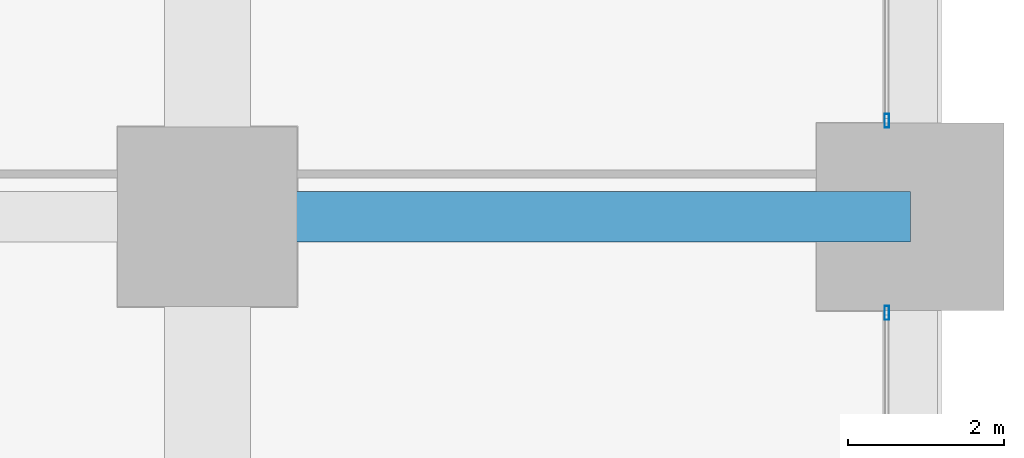
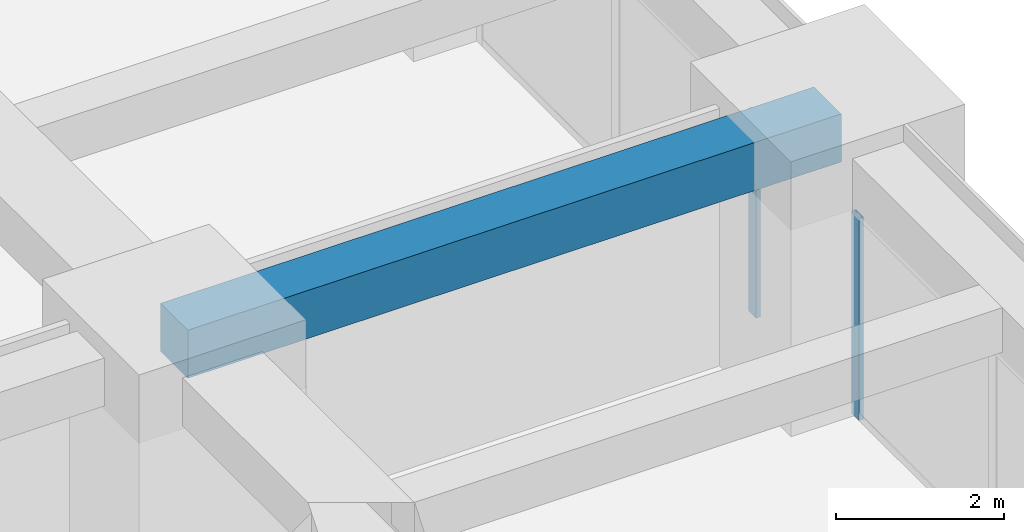
# One storey, part 32 of 44: 2 members, 1 beam, 2 elements without a shape of their own.
"""IFC4 building model written with IfcOpenShell, lengths in metres."""

from ifc_helpers import new_model, si_unit, direction, frame, origin, origin_2d, place, context, subcontext, project, spatial, rectangle, hollow_rectangle, extrude, material, material_profile, profile_set, type_object, element, aggregate, save


model = new_model("IFC4")

# Units and contexts
model_context = context("Model", 3, precision=1e-05, world=origin(), true_north=direction((0.0, 1.0)))
body_context = subcontext(model_context, "Body", "Model", "MODEL_VIEW")
ifc_project = project(units=[si_unit("LENGTHUNIT", "METRE"), si_unit("AREAUNIT", "SQUARE_METRE"), si_unit("VOLUMEUNIT", "CUBIC_METRE"), si_unit("PLANEANGLEUNIT", "RADIAN"), si_unit("MASSUNIT", "GRAM", prefix="KILO")], contexts=[model_context])

# Site, building, storey
site_placement = place(None, origin())
site = spatial("IfcSite", under=ifc_project, at=site_placement, CompositionType="ELEMENT")
building_placement = place(site_placement, origin())
building = spatial("IfcBuilding", under=site, at=building_placement, Name="Zorevar Civic Tower", CompositionType="ELEMENT")
storey_placement = place(building_placement, frame((0.0, 0.0, 31.800048828125)))
storey = spatial("IfcBuildingStorey", under=building, at=storey_placement, Name="L07", CompositionType="ELEMENT", Elevation=31.800048828125)

# Beam
ifc_material_1 = material(Name="Concrete C50/60", Category="concrete")
ifc_material_profile_1 = material_profile(ifc_material_1, rectangle(XDim=0.64990234375, YDim=0.699951171875, at=origin_2d()), Name="RC 650x700")
ifc_profile_set_1 = profile_set([ifc_material_profile_1], Name="Concrete C50/60")
beam_type = type_object("IfcBeamType", Name="Beam RC 650x700", PredefinedType="BEAM", material=ifc_profile_set_1)
beam_placement = place(storey_placement, frame((54.0, 36.0, 3.39990234375), z_axis=(1.0, 0.0, 0.0), x_axis=(0.0, 1.0, 0.0)))
element("IfcBeam", 1, at=beam_placement, inside=storey, type_object=beam_type, Name="Girder L08", PredefinedType="BEAM", context=body_context, shape_type="SweptSolid", body=[
    extrude(rectangle(XDim=0.64990234375, YDim=0.699951171875, at=origin_2d()), origin(), (0.0, 0.0, 1.0), 9.0),
])

# Curtain wall, member
ifc_material_2 = material(Name="Dark grey solar-control glass in black aluminium frame", Category="aluminium")
curtain_wall_type = type_object("IfcCurtainWallType", Name="Curtain wall CW2 low zone", PredefinedType="NOTDEFINED", material=ifc_material_2)
curtain_wall_1_placement = place(storey_placement, origin())
curtain_wall_1 = element("IfcCurtainWall", 2, at=curtain_wall_1_placement, inside=storey, type_object=curtain_wall_type, Name="CW2 L07", PredefinedType="NOTDEFINED")
ifc_material_3 = material(Name="Aluminium, black anodised", Category="aluminium")
ifc_material_profile_2 = material_profile(ifc_material_3, hollow_rectangle(XDim=0.06005859375, YDim=0.179931640625, WallThickness=0.00390625, at=origin_2d()), Name="AL 180x60x4")
ifc_profile_set_2 = profile_set([ifc_material_profile_2], Name="Aluminium, black anodised")
member_type = type_object("IfcMemberType", Name="CW2 mullion AL 180x60x4", PredefinedType="MULLION", material=ifc_profile_set_2)
member_1_placement = place(storey_placement, frame((62.699951171875, 34.77001953125, 0.0), z_axis=(0.0, 0.0, 1.0), x_axis=(-1.0, 0.0, 0.0)))
member_1 = element("IfcMember", 3, at=member_1_placement, type_object=member_type, Name="CW2 mullion 3", PredefinedType="MULLION", context=body_context, shape_type="SweptSolid", body=[
    extrude(hollow_rectangle(XDim=0.06005859375, YDim=0.179931640625, WallThickness=0.00390625, at=origin_2d()), origin(), (0.0, 0.0, 1.0), 2.949951171875),
])
aggregate(curtain_wall_1, [member_1])

curtain_wall_2_placement = place(storey_placement, origin())
curtain_wall_2 = element("IfcCurtainWall", 4, at=curtain_wall_2_placement, inside=storey, type_object=curtain_wall_type, Name="CW2 L07", PredefinedType="NOTDEFINED")
member_2_placement = place(storey_placement, frame((62.699951171875, 37.22998046875, 0.0), z_axis=(0.0, 0.0, 1.0), x_axis=(-1.0, 0.0, 0.0)))
member_2 = element("IfcMember", 5, at=member_2_placement, type_object=member_type, Name="CW2 mullion 1", PredefinedType="MULLION", context=body_context, shape_type="SweptSolid", body=[
    extrude(hollow_rectangle(XDim=0.06005859375, YDim=0.179931640625, WallThickness=0.00390625, at=origin_2d()), origin(), (0.0, 0.0, 1.0), 2.949951171875),
])
aggregate(curtain_wall_2, [member_2])

save(model, "model.ifc")
